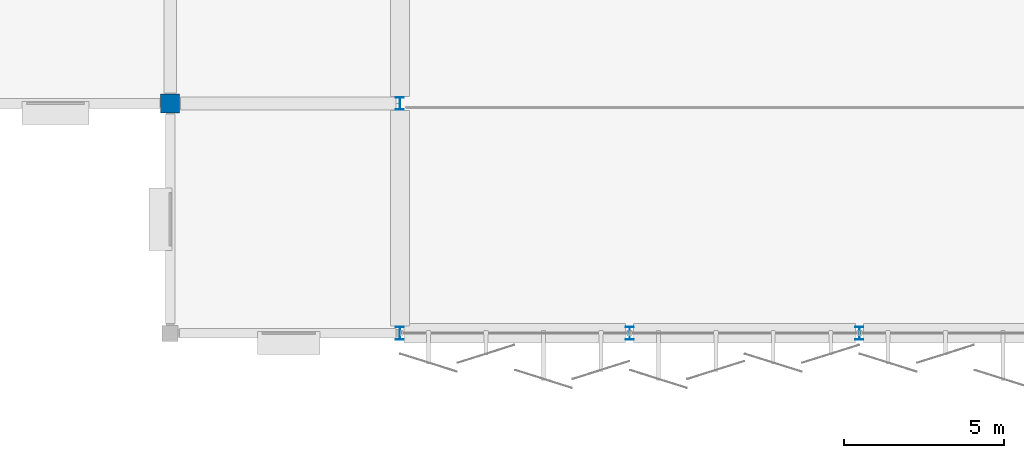
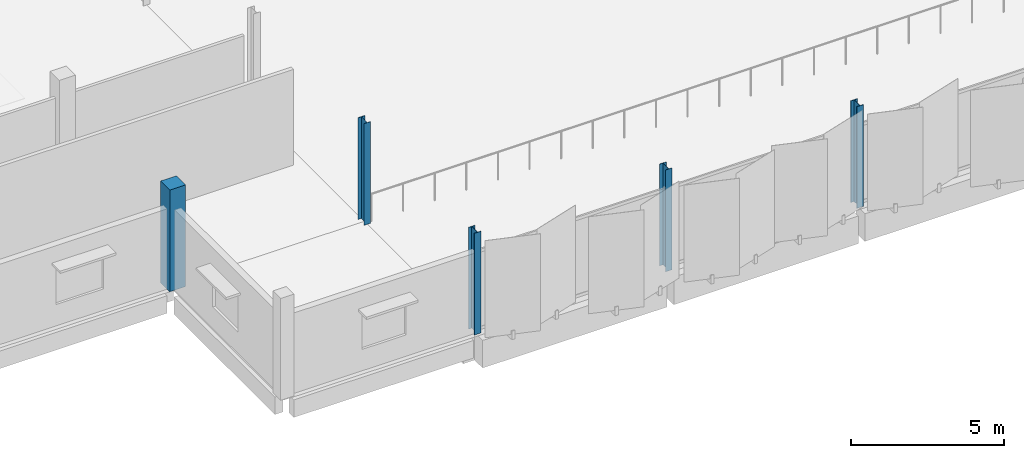
# One storey, part 6 of 107: 5 columns.
"""IFC4 building model written with IfcOpenShell, lengths in metres."""

from ifc_helpers import new_model, si_unit, direction, frame, origin, origin_2d, place, context, subcontext, project, spatial, rectangle, i_section, extrude, material, material_profile, profile_set, type_object, element, save


model = new_model("IFC4")

# Units and contexts
model_context = context("Model", 3, precision=1e-05, world=origin(), true_north=direction((0.0, 1.0)))
body_context = subcontext(model_context, "Body", "Model", "MODEL_VIEW")
ifc_project = project(units=[si_unit("LENGTHUNIT", "METRE"), si_unit("AREAUNIT", "SQUARE_METRE"), si_unit("VOLUMEUNIT", "CUBIC_METRE"), si_unit("PLANEANGLEUNIT", "RADIAN"), si_unit("MASSUNIT", "GRAM", prefix="KILO")], contexts=[model_context])

# Site, building, storey
site_placement = place(None, origin())
site = spatial("IfcSite", under=ifc_project, at=site_placement, CompositionType="ELEMENT")
building_placement = place(site_placement, origin())
building = spatial("IfcBuilding", under=site, at=building_placement, Name="Kangsadwip Square Police Headquarters", CompositionType="ELEMENT")
storey_placement = place(building_placement, frame((0.0, 0.0, 5.39990234375)))
storey = spatial("IfcBuildingStorey", under=building, at=storey_placement, Name="L01", CompositionType="ELEMENT", Elevation=5.39990234375)

# Columns
ifc_material_1 = material(Name="Concrete M35 (35 MPa)", Category="concrete")
ifc_material_profile_1 = material_profile(ifc_material_1, rectangle(XDim=0.60009765625, YDim=0.60009765625, at=origin_2d()), Name="RC COL 600X600")
ifc_profile_set_1 = profile_set([ifc_material_profile_1], Name="Concrete M35 (35 MPa)")
column_type_1 = type_object("IfcColumnType", Name="RcCol600x600", PredefinedType="COLUMN", material=ifc_profile_set_1)
column_placement = place(storey_placement, frame((36.0, 93.60009765625, 0.0), z_axis=(0.0, 0.0, 1.0), x_axis=(1.0, 0.0, 0.0)))
element("IfcColumn", 1, at=column_placement, inside=storey, type_object=column_type_1, Name="Column COL-L01-05-13", PredefinedType="COLUMN", context=body_context, shape_type="SweptSolid", body=[
    extrude(rectangle(XDim=0.60009765625, YDim=0.60009765625, at=origin_2d()), origin(), (0.0, 0.0, 1.0), 4.050048828125),
])
ifc_material_2 = material(Name="Structural steel IS 2062 E350 (Grade 350, 350 MPa)", Category="steel")
ifc_material_profile_2 = material_profile(ifc_material_2, i_section(OverallWidth=0.25, OverallDepth=0.39990234375, WebThickness=0.010498046875, FlangeThickness=0.0126953125, at=origin_2d()), Name="ISHB 400")
ifc_profile_set_2 = profile_set([ifc_material_profile_2], Name="Structural steel IS 2062 E350 (Grade 350, 350 MPa)")
column_type_2 = type_object("IfcColumnType", Name="SteelColIshb400", PredefinedType="COLUMN", material=ifc_profile_set_2)
for number, where, z_axis, x_axis, name in (
    (2, (43.199951171875, 86.39990234375, 0.0), (0.0, 0.0, 1.0), (1.0, 0.0, 0.0), "Column COL-L01-06-12"),
    (3, (43.199951171875, 93.60009765625, 0.0), (0.0, 0.0, 1.0), (1.0, 0.0, 0.0), "Column COL-L01-06-13"),
    (4, (50.39990234375, 86.39990234375, 0.0), (0.0, 0.0, 1.0), (1.0, 0.0, 0.0), "Column COL-L01-07-12"),
    (5, (57.60009765625, 86.39990234375, 0.0), (0.0, 0.0, 1.0), (1.0, 0.0, 0.0), "Column COL-L01-08-12"),
):
    element("IfcColumn", number, at=place(storey_placement, frame(where, z_axis=z_axis, x_axis=x_axis)), inside=storey, type_object=column_type_2, Name=name, PredefinedType="COLUMN", context=body_context, shape_type="SweptSolid", body=[
        extrude(i_section(OverallWidth=0.25, OverallDepth=0.39990234375, WebThickness=0.010498046875, FlangeThickness=0.0126953125, at=origin_2d()), origin(), (0.0, 0.0, 1.0), 4.050048828125),
    ])

save(model, "model.ifc")
